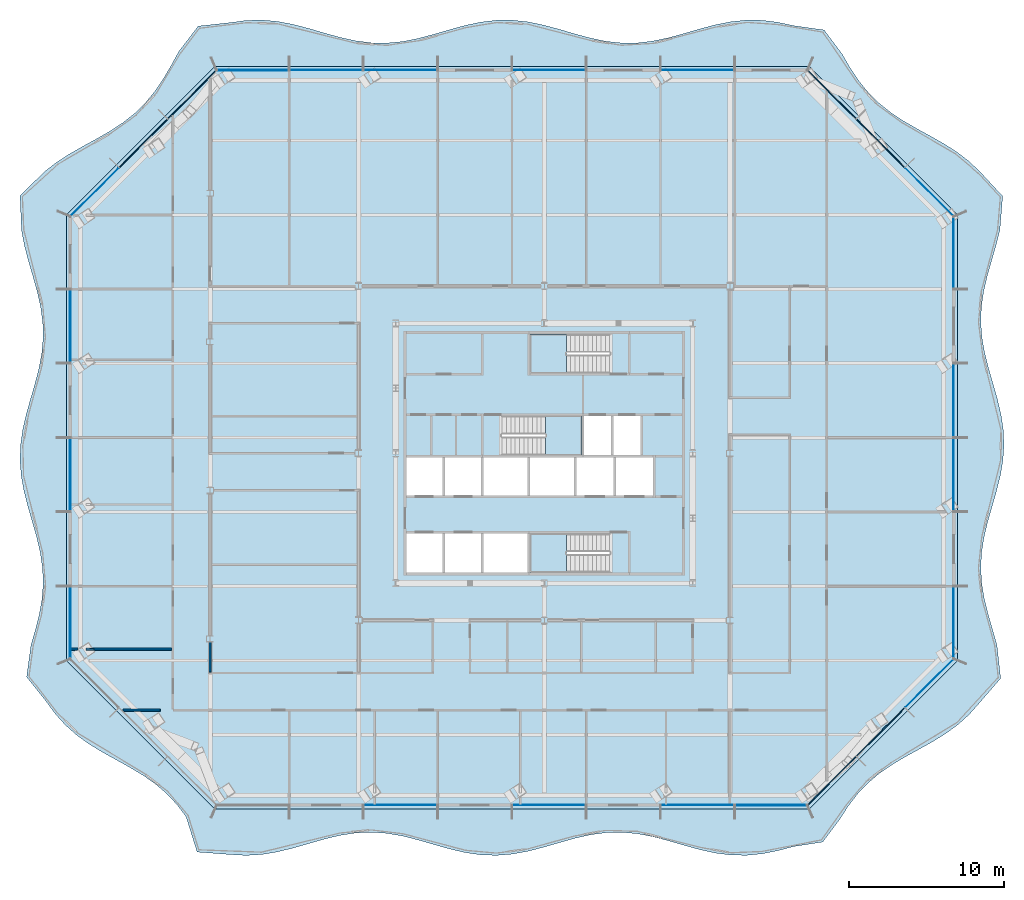
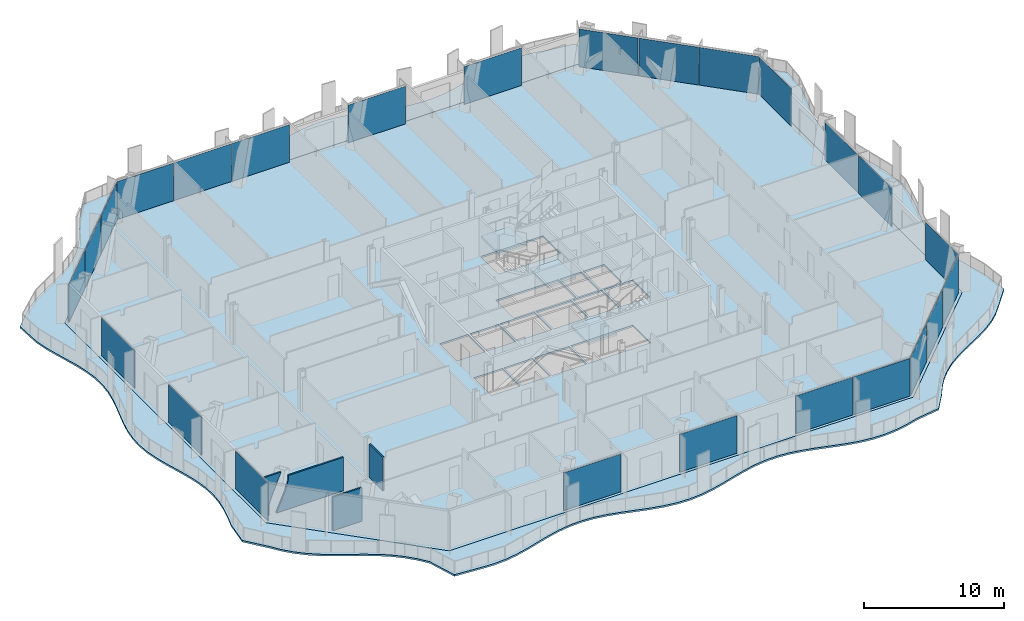
# One storey, part 6 of 22: 25 plates, 5 slabs, 4 walls, 10 elements without a shape of their own.
"""IFC4 building model written with IfcOpenShell, lengths in metres."""

from ifc_helpers import new_model, si_unit, direction, frame, frame_2d, origin, origin_2d, place, context, subcontext, project, spatial, polyline, rectangle, outline, extrude, material, layer, layer_set, type_object, element, aggregate, save


model = new_model("IFC4")

# Units and contexts
model_context = context("Model", 3, precision=1e-05, world=origin(), true_north=direction((0.0, 1.0)))
body_context = subcontext(model_context, "Body", "Model", "MODEL_VIEW")
ifc_project = project(units=[si_unit("LENGTHUNIT", "METRE"), si_unit("AREAUNIT", "SQUARE_METRE"), si_unit("VOLUMEUNIT", "CUBIC_METRE"), si_unit("PLANEANGLEUNIT", "RADIAN"), si_unit("MASSUNIT", "GRAM", prefix="KILO")], contexts=[model_context])

# Site, building, storey
site_placement = place(None, origin())
site = spatial("IfcSite", under=ifc_project, at=site_placement, CompositionType="ELEMENT")
building_placement = place(site_placement, origin())
building = spatial("IfcBuilding", under=site, at=building_placement, Name="Cairn Pilgrim Tower", CompositionType="ELEMENT")
storey_placement = place(building_placement, frame((0.0, 0.0, 105.0)))
storey = spatial("IfcBuildingStorey", under=building, at=storey_placement, Name="L25", CompositionType="ELEMENT", Elevation=105.0)

# Slabs
ifc_material_1 = material(Name="Concrete C35/45", Category="concrete")
ifc_layer_1 = layer(ifc_material_1, 0.14990234375)
ifc_layer_set_1 = layer_set([ifc_layer_1], Name="BALCONY SLAB 150 CONCRETE C35/45")
slab_type_1 = type_object("IfcSlabType", Name="BALCONY SLAB 150 CONCRETE C35/45", PredefinedType="FLOOR", material=ifc_layer_set_1)
slab_1_placement = place(storey_placement, frame((0.0, 0.0, -0.14990234375)))
element("IfcSlab", 1, at=slab_1_placement, inside=storey, type_object=slab_type_1, Name="Balcony slab BS-1", PredefinedType="FLOOR", context=body_context, shape_type="SweptSolid", body=[
    extrude(outline(polyline([(-15.951904296875, -21.0849609375), (-15.23876953125, -23.371826171875), (-13.07666015625, -23.535400390625), (-12.06591796875, -23.59130859375), (-11.055419921875, -23.53076171875), (-10.044921875, -23.36279296875), (-9.034423828125, -23.114013671875), (-8.02392578125, -22.82275390625), (-7.013427734375, -22.534423828125), (-6.0029296875, -22.293701171875), (-4.992431640625, -22.13818359375), (-3.981689453125, -22.092041015625), (-2.97119140625, -22.162109375), (-1.960693359375, -22.337890625), (-0.9501953125, -22.592041015625), (0.060302734375, -22.884765625), (1.07080078125, -23.170654296875), (2.081298828125, -23.405517578125), (3.091796875, -23.552734375), (4.102294921875, -23.58935546875), (5.113037109375, -23.509521484375), (6.12353515625, -23.326171875), (7.134033203125, -23.067138671875), (8.14453125, -22.773193359375), (9.155029296875, -22.489990234375), (10.16552734375, -22.26123046875), (11.176025390625, -22.12255859375), (12.1865234375, -22.095703125), (13.197265625, -22.184814453125), (14.207763671875, -22.375732421875), (15.21826171875, -22.639404296875), (16.228759765625, -22.93408203125), (17.2392578125, -23.214599609375), (18.249755859375, -23.43701171875), (19.26025390625, -23.56689453125), (20.270751953125, -23.583984375), (21.28125, -23.485595703125), (22.2919921875, -23.287109375), (23.302490234375, -23.01953125), (25.1962890625, -22.72412109375), (26.31787109375, -21.224853515625), (26.853759765625, -20.389404296875), (27.4501953125, -19.6142578125), (28.11962890625, -18.912353515625), (28.86474609375, -18.285888671875), (29.6767578125, -17.7265625), (30.53759765625, -17.216064453125), (31.422607421875, -16.7294921875), (32.302490234375, -16.23828125), (33.150146484375, -15.71435546875), (33.94189453125, -15.134765625), (34.662841796875, -14.484130859375), (35.3076171875, -13.757568359375), (36.6982421875, -12.14501953125), (36.458251953125, -9.998291015625), (36.173828125, -9.005126953125), (35.887939453125, -8.011962890625), (35.643310546875, -7.01904296875), (35.476806640625, -6.02587890625), (35.4130859375, -5.03271484375), (35.462158203125, -4.03955078125), (35.616455078125, -3.046630859375), (35.852783203125, -2.053466796875), (36.1357421875, -1.060302734375), (36.422607421875, -0.067138671875), (36.670654296875, 0.92578125), (36.84228515625, 1.9189453125), (36.912109375, 2.912109375), (36.869384765625, 3.9052734375), (36.720458984375, 4.898193359375), (36.48779296875, 5.891357421875), (36.206298828125, 6.884521484375), (35.91845703125, 7.877685546875), (35.667236328125, 8.87060546875), (35.490478515625, 9.86376953125), (35.414794921875, 10.85693359375), (35.451171875, 11.85009765625), (35.5947265625, 12.843017578125), (35.823486328125, 13.836181640625), (36.103271484375, 14.829345703125), (36.391845703125, 15.822509765625), (36.646240234375, 16.8154296875), (36.828125, 19.01611328125), (35.345947265625, 20.613037109375), (34.64208984375, 21.280517578125), (33.864990234375, 21.875), (33.0283203125, 22.40966796875), (32.153076171875, 22.906005859375), (31.266845703125, 23.39111328125), (30.398193359375, 23.893798828125), (29.5732421875, 24.4404296875), (28.812255859375, 25.05078125), (28.12548828125, 25.735595703125), (27.513671875, 26.4951171875), (26.9658203125, 27.31884765625), (26.46240234375, 28.186767578125), (25.287841796875, 29.76220703125), (23.302490234375, 30.041259765625), (22.2919921875, 30.2607421875), (21.28125, 30.38671875), (20.270751953125, 30.399658203125), (19.26025390625, 30.29736328125), (18.249755859375, 30.095703125), (17.2392578125, 29.826171875), (16.228759765625, 29.530517578125), (15.21826171875, 29.2548828125), (14.207763671875, 29.0419921875), (13.197265625, 28.9248046875), (12.1865234375, 28.921875), (11.176025390625, 29.033447265625), (10.16552734375, 29.241943359375), (9.155029296875, 29.515380859375), (8.14453125, 29.81103515625), (7.134033203125, 30.0830078125), (6.12353515625, 30.2890625), (5.113037109375, 30.39697265625), (4.102294921875, 30.390380859375), (3.091796875, 30.269775390625), (2.081298828125, 30.054443359375), (1.07080078125, 29.77734375), (0.060302734375, 29.48193359375), (-0.9501953125, 29.2138671875), (-1.960693359375, 29.01513671875), (-2.97119140625, 28.916259765625), (-3.981689453125, 28.932861328125), (-4.992431640625, 29.06201171875), (-6.0029296875, 29.2841796875), (-7.013427734375, 29.564453125), (-8.02392578125, 29.859375), (-9.034423828125, 30.123046875), (-10.044921875, 30.314453125), (-11.055419921875, 30.404052734375), (-12.06591796875, 30.3779296875), (-13.07666015625, 30.23974609375), (-15.165283203125, 30.011474609375), (-16.42138671875, 28.37158203125), (-16.906982421875, 27.48583984375), (-17.4130859375, 26.620361328125), (-17.96533203125, 25.801025390625), (-18.582763671875, 25.047119140625), (-19.275390625, 24.368408203125), (-20.0419921875, 23.763427734375), (-20.87109375, 23.22119140625), (-21.7421875, 22.720703125), (-22.62841796875, 22.23583984375), (-23.50146484375, 21.7373046875), (-24.33447265625, 21.19873046875), (-25.10595703125, 20.598876953125), (-26.680908203125, 19.048583984375), (-26.588134765625, 16.8154296875), (-26.397705078125, 15.822509765625), (-26.13818359375, 14.829345703125), (-25.848388671875, 13.836181640625), (-25.572021484375, 12.843017578125), (-25.350341796875, 11.85009765625), (-25.216796875, 10.85693359375), (-25.19140625, 9.86376953125), (-25.278076171875, 8.87060546875), (-25.463623046875, 7.877685546875), (-25.72021484375, 6.884521484375), (-26.009521484375, 5.891357421875), (-26.287841796875, 4.898193359375), (-26.513671875, 3.9052734375), (-26.652587890625, 2.912109375), (-26.684326171875, 1.9189453125), (-26.603759765625, 0.92578125), (-26.423095703125, -0.067138671875), (-26.169189453125, -1.060302734375), (-25.880859375, -2.053466796875), (-25.6005859375, -3.046630859375), (-25.37109375, -4.03955078125), (-25.2265625, -5.03271484375), (-25.188720703125, -6.02587890625), (-25.26318359375, -7.01904296875), (-25.43896484375, -8.011962890625), (-25.689453125, -9.005126953125), (-25.977294921875, -9.998291015625), (-26.2587890625, -12.056640625), (-24.981689453125, -13.657470703125), (-24.40185546875, -14.448974609375), (-23.751220703125, -15.169677734375), (-23.0244140625, -15.814453125), (-22.227783203125, -16.38916015625), (-21.376708984375, -16.90966796875), (-20.4951171875, -17.3994140625), (-19.611328125, -17.886962890625), (-18.753173828125, -18.400390625), (-17.94580078125, -18.96435546875), (-17.20654296875, -19.5966796875), (-16.54296875, -20.304443359375), (-15.951904296875, -21.0849609375)]), holes=[polyline([(24.31298828125, -20.59130859375), (-14.087158203125, -20.59130859375), (-23.68701171875, -10.991455078125), (-23.68701171875, 17.80859375), (-14.087158203125, 27.40869140625), (24.31298828125, 27.40869140625), (33.912841796875, 17.80859375), (33.912841796875, -10.991455078125), (24.31298828125, -20.59130859375)])]), origin(), (0.0, 0.0, 1.0), 0.14990234375),
])
ifc_layer_2 = layer(ifc_material_1, 0.14990234375)
ifc_layer_set_2 = layer_set([ifc_layer_2], Name="COMPOSITE FLOOR SLAB 150")
slab_type_2 = type_object("IfcSlabType", Name="COMPOSITE FLOOR SLAB 150", PredefinedType="FLOOR", material=ifc_layer_set_2)
slab_2_placement = place(storey_placement, frame((0.0, 0.0, -0.14990234375)))
element("IfcSlab", 2, at=slab_2_placement, inside=storey, type_object=slab_type_2, Name="FLOOR SLAB L25", PredefinedType="FLOOR", context=body_context, shape_type="SweptSolid", body=[
    extrude(outline(polyline([(-14.087158203125, -20.59130859375), (24.31298828125, -20.59130859375), (33.912841796875, -10.991455078125), (33.912841796875, 17.80859375), (24.31298828125, 27.40869140625), (-14.087158203125, 27.40869140625), (-23.68701171875, 17.80859375), (-23.68701171875, -10.991455078125), (-14.087158203125, -20.59130859375)]), holes=[polyline([(-1.72509765625, -5.300048828125), (0.625, -5.300048828125), (0.625, -2.77490234375), (-1.72509765625, -2.77490234375), (-1.72509765625, -5.300048828125)]), polyline([(0.77490234375, -5.300048828125), (3.125, -5.300048828125), (3.125, -2.77490234375), (0.77490234375, -2.77490234375), (0.77490234375, -5.300048828125)]), polyline([(-1.72509765625, -0.324951171875), (0.625, -0.324951171875), (0.625, 2.125), (-1.72509765625, 2.125), (-1.72509765625, -0.324951171875)]), polyline([(0.77490234375, -0.324951171875), (3.125, -0.324951171875), (3.125, 2.125), (0.77490234375, 2.125), (0.77490234375, -0.324951171875)]), polyline([(3.27490234375, -5.300048828125), (6.125, -5.300048828125), (6.125, -2.77490234375), (3.27490234375, -2.77490234375), (3.27490234375, -5.300048828125)]), polyline([(3.27490234375, -0.324951171875), (6.125, -0.324951171875), (6.125, 2.125), (3.27490234375, 2.125), (3.27490234375, -0.324951171875)]), polyline([(6.27490234375, -0.324951171875), (9.125, -0.324951171875), (9.125, 2.125), (6.27490234375, 2.125), (6.27490234375, -0.324951171875)]), polyline([(9.27490234375, -0.324951171875), (11.675048828125, -0.324951171875), (11.675048828125, 2.125), (9.27490234375, 2.125), (9.27490234375, -0.324951171875)]), polyline([(11.824951171875, -0.324951171875), (14.22509765625, -0.324951171875), (14.22509765625, 2.125), (11.824951171875, 2.125), (11.824951171875, -0.324951171875)]), polyline([(9.77490234375, 2.27490234375), (11.52490234375, 2.27490234375), (11.52490234375, 4.824951171875), (9.77490234375, 4.824951171875), (9.77490234375, 2.27490234375)]), polyline([(11.675048828125, 2.27490234375), (13.425048828125, 2.27490234375), (13.425048828125, 4.824951171875), (11.675048828125, 4.824951171875), (11.675048828125, 2.27490234375)]), polyline([(11.424560546875, -2.77490234375), (6.27490234375, -2.77490234375), (6.27490234375, -5.300048828125), (11.424560546875, -5.300048828125), (11.424560546875, -2.77490234375)]), polyline([(4.4755859375, 2.27490234375), (9.625, 2.27490234375), (9.625, 4.824951171875), (4.4755859375, 4.824951171875), (4.4755859375, 2.27490234375)]), polyline([(11.424560546875, 10.10009765625), (6.27490234375, 10.10009765625), (6.27490234375, 7.574951171875), (11.424560546875, 7.574951171875), (11.424560546875, 10.10009765625)])]), origin(), (0.0, 0.0, 1.0), 0.14990234375),
])

# Curtain wall, plate
ifc_material_2 = material(Name="Aluminium alloy 6063-T6 bronze anodised with Bronze tinted laminated low-E glass 8+16+8.8", Category="aluminium")
curtain_wall_type_1 = type_object("IfcCurtainWallType", Name="CHAMFER CORNER CURTAIN WALL", PredefinedType="NOTDEFINED", material=ifc_material_2)
curtain_wall_1_placement = place(storey_placement, origin())
curtain_wall_1 = element("IfcCurtainWall", 3, at=curtain_wall_1_placement, inside=storey, type_object=curtain_wall_type_1, Name="Chamfer Corner Curtain Wall SE", PredefinedType="NOTDEFINED")
ifc_material_3 = material(Name="Bronze anodised aluminium spandrel panel with mineral wool insulation", Category="aluminium")
ifc_layer_3 = layer(ifc_material_3, 0.06005859375)
ifc_layer_set_3 = layer_set([ifc_layer_3], Name="SPANDREL PANEL 4386x3300")
plate_type_1 = type_object("IfcPlateType", Name="SPANDREL PANEL 4386x3300", PredefinedType="CURTAIN_PANEL", material=ifc_layer_set_3)
plate_1_placement = place(storey_placement, frame((25.78857421875, -18.76220703125, 0.0), z_axis=(0.0, 0.0, 1.0), x_axis=(0.707106781187, 0.707106781187, 0.0)))
plate_1 = element("IfcPlate", 4, at=plate_1_placement, type_object=plate_type_1, Name="Spandrel Panel SE1-1", PredefinedType="CURTAIN_PANEL", context=body_context, shape_type="SweptSolid", body=[
    extrude(rectangle(XDim=4.386474609375, YDim=0.06005859375, at=origin_2d()), origin(), (0.0, 0.0, 1.0), 3.300048828125),
])

curtain_wall_2_placement = place(storey_placement, origin())
curtain_wall_2 = element("IfcCurtainWall", 5, at=curtain_wall_2_placement, inside=storey, type_object=curtain_wall_type_1, Name="Chamfer Corner Curtain Wall NE", PredefinedType="NOTDEFINED")
plate_2_placement = place(storey_placement, frame((25.78857421875, 25.57958984375, 0.0), z_axis=(0.0, 0.0, 1.0), x_axis=(-0.707106781187, 0.707106781187, 0.0)))
plate_2 = element("IfcPlate", 6, at=plate_2_placement, type_object=plate_type_1, Name="Spandrel Panel NE3-1", PredefinedType="CURTAIN_PANEL", context=body_context, shape_type="SweptSolid", body=[
    extrude(rectangle(XDim=4.386474609375, YDim=0.06005859375, at=origin_2d()), origin(), (0.0, 0.0, 1.0), 3.300048828125),
])

curtain_wall_3_placement = place(storey_placement, origin())
curtain_wall_3 = element("IfcCurtainWall", 7, at=curtain_wall_3_placement, inside=storey, type_object=curtain_wall_type_1, Name="Chamfer Corner Curtain Wall NW", PredefinedType="NOTDEFINED")
plate_3_placement = place(storey_placement, frame((-15.562744140625, 25.57958984375, 0.0), z_axis=(0.0, 0.0, 1.0), x_axis=(-0.707106781187, -0.707106781187, 0.0)))
plate_3 = element("IfcPlate", 8, at=plate_3_placement, type_object=plate_type_1, Name="Spandrel Panel NW1-1", PredefinedType="CURTAIN_PANEL", context=body_context, shape_type="SweptSolid", body=[
    extrude(rectangle(XDim=4.386474609375, YDim=0.06005859375, at=origin_2d()), origin(), (0.0, 0.0, 1.0), 3.300048828125),
])

# Plate
ifc_layer_4 = layer(ifc_material_3, 0.06005859375)
ifc_layer_set_4 = layer_set([ifc_layer_4], Name="SPANDREL PANEL 4396x3300")
plate_type_2 = type_object("IfcPlateType", Name="SPANDREL PANEL 4396x3300", PredefinedType="CURTAIN_PANEL", material=ifc_layer_set_4)
plate_4_placement = place(storey_placement, frame((28.936279296875, -15.614501953125, 0.0), z_axis=(0.0, 0.0, 1.0), x_axis=(0.707106781187, 0.707106781187, 0.0)))
plate_4 = element("IfcPlate", 9, at=plate_4_placement, type_object=plate_type_2, Name="Spandrel Panel SE2-1", PredefinedType="CURTAIN_PANEL", context=body_context, shape_type="SweptSolid", body=[
    extrude(rectangle(XDim=4.396484375, YDim=0.06005859375, at=origin_2d()), origin(), (0.0, 0.0, 1.0), 3.300048828125),
])

plate_5_placement = place(storey_placement, frame((28.936279296875, 22.431884765625, 0.0), z_axis=(0.0, 0.0, 1.0), x_axis=(-0.707106781187, 0.707106781187, 0.0)))
plate_5 = element("IfcPlate", 10, at=plate_5_placement, type_object=plate_type_2, Name="Spandrel Panel NE2-1", PredefinedType="CURTAIN_PANEL", context=body_context, shape_type="SweptSolid", body=[
    extrude(rectangle(XDim=4.396484375, YDim=0.06005859375, at=origin_2d()), origin(), (0.0, 0.0, 1.0), 3.300048828125),
])

plate_6_placement = place(storey_placement, frame((-18.710205078125, 22.431884765625, 0.0), z_axis=(0.0, 0.0, 1.0), x_axis=(-0.707106781187, -0.707106781187, 0.0)))
plate_6 = element("IfcPlate", 11, at=plate_6_placement, type_object=plate_type_2, Name="Spandrel Panel NW2-1", PredefinedType="CURTAIN_PANEL", context=body_context, shape_type="SweptSolid", body=[
    extrude(rectangle(XDim=4.396484375, YDim=0.06005859375, at=origin_2d()), origin(), (0.0, 0.0, 1.0), 3.300048828125),
])

# Curtain wall, plate
curtain_wall_type_2 = type_object("IfcCurtainWallType", Name="TOWER STICK CURTAIN WALL NS", PredefinedType="NOTDEFINED", material=ifc_material_2)
curtain_wall_4_placement = place(storey_placement, origin())
curtain_wall_4 = element("IfcCurtainWall", 12, at=curtain_wall_4_placement, inside=storey, type_object=curtain_wall_type_2, Name="Tower Stick Curtain Wall Ns S", PredefinedType="NOTDEFINED")
ifc_layer_5 = layer(ifc_material_3, 0.06005859375)
ifc_layer_set_5 = layer_set([ifc_layer_5], Name="SPANDREL PANEL 4626x3300")
plate_type_3 = type_object("IfcPlateType", Name="SPANDREL PANEL 4626x3300", PredefinedType="CURTAIN_PANEL", material=ifc_layer_set_5)
plate_7_placement = place(storey_placement, frame((21.856201171875, -20.34130859375, 0.0), z_axis=(0.0, 0.0, 1.0), x_axis=(1.0, 0.0, 0.0)))
plate_7 = element("IfcPlate", 13, at=plate_7_placement, type_object=plate_type_3, Name="Spandrel Panel S8-1", PredefinedType="CURTAIN_PANEL", context=body_context, shape_type="SweptSolid", body=[
    extrude(rectangle(XDim=4.62646484375, YDim=0.06005859375, at=origin_2d()), origin(), (0.0, 0.0, 1.0), 3.300048828125),
])

curtain_wall_5_placement = place(storey_placement, origin())
curtain_wall_5 = element("IfcCurtainWall", 14, at=curtain_wall_5_placement, inside=storey, type_object=curtain_wall_type_2, Name="Tower Stick Curtain Wall Ns N", PredefinedType="NOTDEFINED")
plate_8_placement = place(storey_placement, frame((-11.63037109375, 27.15869140625, 0.0), z_axis=(0.0, 0.0, 1.0), x_axis=(-1.0, 0.0, 0.0)))
plate_8 = element("IfcPlate", 15, at=plate_8_placement, type_object=plate_type_3, Name="Spandrel Panel N8-1", PredefinedType="CURTAIN_PANEL", context=body_context, shape_type="SweptSolid", body=[
    extrude(rectangle(XDim=4.62646484375, YDim=0.06005859375, at=origin_2d()), origin(), (0.0, 0.0, 1.0), 3.300048828125),
])

# Stair, slab
ifc_material_4 = material(Name="Concrete C32/40", Category="concrete")
stair_type = type_object("IfcStairType", Name="EXIT STAIR 1200", PredefinedType="HALF_TURN_STAIR", material=ifc_material_4)
stair_1_placement = place(storey_placement, origin())
stair_1 = element("IfcStair", 16, at=stair_1_placement, inside=storey, type_object=stair_type, Name="L25 Exit Stair A", PredefinedType="HALF_TURN_STAIR")
ifc_layer_6 = layer(ifc_material_4, 0.199951171875)
ifc_layer_set_6 = layer_set([ifc_layer_6], Name="STAIR LANDING 200")
slab_type_3 = type_object("IfcSlabType", Name="STAIR LANDING 200", PredefinedType="LANDING", material=ifc_layer_set_6)
slab_3_placement = place(storey_placement, frame((0.0, 0.0, 1.60009765625)))
slab_3 = element("IfcSlab", 17, at=slab_3_placement, type_object=slab_type_3, Name="ST-A landing 1", PredefinedType="LANDING", context=body_context, shape_type="SweptSolid", body=[
    extrude(outline(polyline([(8.625, -2.77490234375), (6.27490234375, -2.77490234375), (6.27490234375, -5.300048828125), (8.625, -5.300048828125), (8.625, -2.77490234375)])), origin(), (0.0, 0.0, 1.0), 0.199951171875),
])
aggregate(stair_1, [slab_3])

stair_2_placement = place(storey_placement, origin())
stair_2 = element("IfcStair", 18, at=stair_2_placement, inside=storey, type_object=stair_type, Name="L25 Exit Stair B", PredefinedType="HALF_TURN_STAIR")
slab_4_placement = place(storey_placement, frame((0.0, 0.0, 1.60009765625)))
slab_4 = element("IfcSlab", 19, at=slab_4_placement, type_object=slab_type_3, Name="ST-B landing 1", PredefinedType="LANDING", context=body_context, shape_type="SweptSolid", body=[
    extrude(outline(polyline([(7.27490234375, 2.27490234375), (9.625, 2.27490234375), (9.625, 4.824951171875), (7.27490234375, 4.824951171875), (7.27490234375, 2.27490234375)])), origin(), (0.0, 0.0, 1.0), 0.199951171875),
])
aggregate(stair_2, [slab_4])

stair_3_placement = place(storey_placement, origin())
stair_3 = element("IfcStair", 20, at=stair_3_placement, inside=storey, type_object=stair_type, Name="L25 Exit Stair C", PredefinedType="HALF_TURN_STAIR")
slab_5_placement = place(storey_placement, frame((0.0, 0.0, 1.60009765625)))
slab_5 = element("IfcSlab", 21, at=slab_5_placement, type_object=slab_type_3, Name="ST-C landing 1", PredefinedType="LANDING", context=body_context, shape_type="SweptSolid", body=[
    extrude(outline(polyline([(8.625, 10.10009765625), (6.27490234375, 10.10009765625), (6.27490234375, 7.574951171875), (8.625, 7.574951171875), (8.625, 10.10009765625)])), origin(), (0.0, 0.0, 1.0), 0.199951171875),
])
aggregate(stair_3, [slab_5])

# Plate
ifc_material_5 = material(Name="Bronze tinted laminated low-E glass 8+16+8.8", Category="glass")
ifc_layer_7 = layer(ifc_material_5, 0.033935546875)
ifc_layer_set_7 = layer_set([ifc_layer_7], Name="VISION GLAZING 4386x3300")
plate_type_4 = type_object("IfcPlateType", Name="VISION GLAZING 4386x3300", PredefinedType="CURTAIN_PANEL", material=ifc_layer_set_7)
plate_9_placement = place(storey_placement, frame((32.083740234375, -12.467041015625, 0.0), z_axis=(0.0, 0.0, 1.0), x_axis=(0.707106781187, 0.707106781187, 0.0)))
plate_9 = element("IfcPlate", 22, at=plate_9_placement, type_object=plate_type_4, Name="Vision Glazing SE3-1", PredefinedType="CURTAIN_PANEL", context=body_context, shape_type="SweptSolid", body=[
    extrude(rectangle(XDim=4.386474609375, YDim=0.033935546875, at=origin_2d()), origin(), (0.0, 0.0, 1.0), 3.300048828125),
])

aggregate(curtain_wall_1, [plate_1, plate_4, plate_9])

plate_10_placement = place(storey_placement, frame((32.083740234375, 19.2841796875, 0.0), z_axis=(0.0, 0.0, 1.0), x_axis=(-0.707106781187, 0.707106781187, 0.0)))
plate_10 = element("IfcPlate", 23, at=plate_10_placement, type_object=plate_type_4, Name="Vision Glazing NE1-1", PredefinedType="CURTAIN_PANEL", context=body_context, shape_type="SweptSolid", body=[
    extrude(rectangle(XDim=4.386474609375, YDim=0.033935546875, at=origin_2d()), origin(), (0.0, 0.0, 1.0), 3.300048828125),
])

aggregate(curtain_wall_2, [plate_10, plate_5, plate_2])

plate_11_placement = place(storey_placement, frame((-21.85791015625, 19.2841796875, 0.0), z_axis=(0.0, 0.0, 1.0), x_axis=(-0.707106781187, -0.707106781187, 0.0)))
plate_11 = element("IfcPlate", 24, at=plate_11_placement, type_object=plate_type_4, Name="Vision Glazing NW3-1", PredefinedType="CURTAIN_PANEL", context=body_context, shape_type="SweptSolid", body=[
    extrude(rectangle(XDim=4.386474609375, YDim=0.033935546875, at=origin_2d()), origin(), (0.0, 0.0, 1.0), 3.300048828125),
])

aggregate(curtain_wall_3, [plate_3, plate_6, plate_11])

# Curtain wall, plates
curtain_wall_type_3 = type_object("IfcCurtainWallType", Name="TOWER STICK CURTAIN WALL EW", PredefinedType="NOTDEFINED", material=ifc_material_2)
curtain_wall_6_placement = place(storey_placement, origin())
curtain_wall_6 = element("IfcCurtainWall", 25, at=curtain_wall_6_placement, inside=storey, type_object=curtain_wall_type_3, Name="Tower Stick Curtain Wall Ew E", PredefinedType="NOTDEFINED")
ifc_layer_8 = layer(ifc_material_5, 0.033935546875)
ifc_layer_set_8 = layer_set([ifc_layer_8], Name="VISION GLAZING 4626x3300")
plate_type_5 = type_object("IfcPlateType", Name="VISION GLAZING 4626x3300", PredefinedType="CURTAIN_PANEL", material=ifc_layer_set_8)
plate_12_placement = place(storey_placement, frame((33.662841796875, -8.53466796875, 0.0), z_axis=(0.0, 0.0, 1.0), x_axis=(0.0, 1.0, 0.0)))
plate_12 = element("IfcPlate", 26, at=plate_12_placement, type_object=plate_type_5, Name="Vision Glazing E1-1", PredefinedType="CURTAIN_PANEL", context=body_context, shape_type="SweptSolid", body=[
    extrude(rectangle(XDim=4.62646484375, YDim=0.033935546875, at=origin_2d()), origin(), (0.0, 0.0, 1.0), 3.300048828125),
])
plate_13_placement = place(storey_placement, frame((33.662841796875, 15.351806640625, 0.0), z_axis=(0.0, 0.0, 1.0), x_axis=(0.0, 1.0, 0.0)))
plate_13 = element("IfcPlate", 27, at=plate_13_placement, type_object=plate_type_5, Name="Vision Glazing E6-1", PredefinedType="CURTAIN_PANEL", context=body_context, shape_type="SweptSolid", body=[
    extrude(rectangle(XDim=4.62646484375, YDim=0.033935546875, at=origin_2d()), origin(), (0.0, 0.0, 1.0), 3.300048828125),
])

# Curtain wall, plate
curtain_wall_7_placement = place(storey_placement, origin())
curtain_wall_7 = element("IfcCurtainWall", 28, at=curtain_wall_7_placement, inside=storey, type_object=curtain_wall_type_3, Name="Tower Stick Curtain Wall Ew W", PredefinedType="NOTDEFINED")
plate_14_placement = place(storey_placement, frame((-23.43701171875, -8.53466796875, 0.0), z_axis=(0.0, 0.0, 1.0), x_axis=(0.0, -1.0, 0.0)))
plate_14 = element("IfcPlate", 29, at=plate_14_placement, type_object=plate_type_5, Name="Vision Glazing W6-1", PredefinedType="CURTAIN_PANEL", context=body_context, shape_type="SweptSolid", body=[
    extrude(rectangle(XDim=4.62646484375, YDim=0.033935546875, at=origin_2d()), origin(), (0.0, 0.0, 1.0), 3.300048828125),
])

# Plate
ifc_layer_9 = layer(ifc_material_5, 0.033935546875)
ifc_layer_set_9 = layer_set([ifc_layer_9], Name="VISION GLAZING 4740x3300")
plate_type_6 = type_object("IfcPlateType", Name="VISION GLAZING 4740x3300", PredefinedType="CURTAIN_PANEL", material=ifc_layer_set_9)
plate_15_placement = place(storey_placement, frame((-2.087158203125, -20.34130859375, 0.0), z_axis=(0.0, 0.0, 1.0), x_axis=(1.0, 0.0, 0.0)))
plate_15 = element("IfcPlate", 30, at=plate_15_placement, type_object=plate_type_6, Name="Vision Glazing S3-1", PredefinedType="CURTAIN_PANEL", context=body_context, shape_type="SweptSolid", body=[
    extrude(rectangle(XDim=4.739990234375, YDim=0.033935546875, at=origin_2d()), origin(), (0.0, 0.0, 1.0), 3.300048828125),
])

plate_16_placement = place(storey_placement, frame((7.512939453125, -20.34130859375, 0.0), z_axis=(0.0, 0.0, 1.0), x_axis=(1.0, 0.0, 0.0)))
plate_16 = element("IfcPlate", 31, at=plate_16_placement, type_object=plate_type_6, Name="Vision Glazing S5-1", PredefinedType="CURTAIN_PANEL", context=body_context, shape_type="SweptSolid", body=[
    extrude(rectangle(XDim=4.739990234375, YDim=0.033935546875, at=origin_2d()), origin(), (0.0, 0.0, 1.0), 3.300048828125),
])

plate_17_placement = place(storey_placement, frame((17.113037109375, -20.34130859375, 0.0), z_axis=(0.0, 0.0, 1.0), x_axis=(1.0, 0.0, 0.0)))
plate_17 = element("IfcPlate", 32, at=plate_17_placement, type_object=plate_type_6, Name="Vision Glazing S7-1", PredefinedType="CURTAIN_PANEL", context=body_context, shape_type="SweptSolid", body=[
    extrude(rectangle(XDim=4.739990234375, YDim=0.033935546875, at=origin_2d()), origin(), (0.0, 0.0, 1.0), 3.300048828125),
])

aggregate(curtain_wall_4, [plate_15, plate_16, plate_17, plate_7])

plate_18_placement = place(storey_placement, frame((33.662841796875, 1.008544921875, 0.0), z_axis=(0.0, 0.0, 1.0), x_axis=(0.0, 1.0, 0.0)))
plate_18 = element("IfcPlate", 33, at=plate_18_placement, type_object=plate_type_6, Name="Vision Glazing E3-1", PredefinedType="CURTAIN_PANEL", context=body_context, shape_type="SweptSolid", body=[
    extrude(rectangle(XDim=4.739990234375, YDim=0.033935546875, at=origin_2d()), origin(), (0.0, 0.0, 1.0), 3.300048828125),
])

plate_19_placement = place(storey_placement, frame((33.662841796875, 5.80859375, 0.0), z_axis=(0.0, 0.0, 1.0), x_axis=(0.0, 1.0, 0.0)))
plate_19 = element("IfcPlate", 34, at=plate_19_placement, type_object=plate_type_6, Name="Vision Glazing E4-1", PredefinedType="CURTAIN_PANEL", context=body_context, shape_type="SweptSolid", body=[
    extrude(rectangle(XDim=4.739990234375, YDim=0.033935546875, at=origin_2d()), origin(), (0.0, 0.0, 1.0), 3.300048828125),
])

aggregate(curtain_wall_6, [plate_12, plate_18, plate_19, plate_13])

plate_20_placement = place(storey_placement, frame((17.113037109375, 27.15869140625, 0.0), z_axis=(0.0, 0.0, 1.0), x_axis=(-1.0, 0.0, 0.0)))
plate_20 = element("IfcPlate", 35, at=plate_20_placement, type_object=plate_type_6, Name="Vision Glazing N2-1", PredefinedType="CURTAIN_PANEL", context=body_context, shape_type="SweptSolid", body=[
    extrude(rectangle(XDim=4.739990234375, YDim=0.033935546875, at=origin_2d()), origin(), (0.0, 0.0, 1.0), 3.300048828125),
])

plate_21_placement = place(storey_placement, frame((7.512939453125, 27.15869140625, 0.0), z_axis=(0.0, 0.0, 1.0), x_axis=(-1.0, 0.0, 0.0)))
plate_21 = element("IfcPlate", 36, at=plate_21_placement, type_object=plate_type_6, Name="Vision Glazing N4-1", PredefinedType="CURTAIN_PANEL", context=body_context, shape_type="SweptSolid", body=[
    extrude(rectangle(XDim=4.739990234375, YDim=0.033935546875, at=origin_2d()), origin(), (0.0, 0.0, 1.0), 3.300048828125),
])

plate_22_placement = place(storey_placement, frame((-2.087158203125, 27.15869140625, 0.0), z_axis=(0.0, 0.0, 1.0), x_axis=(-1.0, 0.0, 0.0)))
plate_22 = element("IfcPlate", 37, at=plate_22_placement, type_object=plate_type_6, Name="Vision Glazing N6-1", PredefinedType="CURTAIN_PANEL", context=body_context, shape_type="SweptSolid", body=[
    extrude(rectangle(XDim=4.739990234375, YDim=0.033935546875, at=origin_2d()), origin(), (0.0, 0.0, 1.0), 3.300048828125),
])

plate_23_placement = place(storey_placement, frame((-6.886962890625, 27.15869140625, 0.0), z_axis=(0.0, 0.0, 1.0), x_axis=(-1.0, 0.0, 0.0)))
plate_23 = element("IfcPlate", 38, at=plate_23_placement, type_object=plate_type_6, Name="Vision Glazing N7-1", PredefinedType="CURTAIN_PANEL", context=body_context, shape_type="SweptSolid", body=[
    extrude(rectangle(XDim=4.739990234375, YDim=0.033935546875, at=origin_2d()), origin(), (0.0, 0.0, 1.0), 3.300048828125),
])

aggregate(curtain_wall_5, [plate_20, plate_21, plate_22, plate_23, plate_8])

plate_24_placement = place(storey_placement, frame((-23.43701171875, 10.608642578125, 0.0), z_axis=(0.0, 0.0, 1.0), x_axis=(0.0, -1.0, 0.0)))
plate_24 = element("IfcPlate", 39, at=plate_24_placement, type_object=plate_type_6, Name="Vision Glazing W2-1", PredefinedType="CURTAIN_PANEL", context=body_context, shape_type="SweptSolid", body=[
    extrude(rectangle(XDim=4.739990234375, YDim=0.033935546875, at=origin_2d()), origin(), (0.0, 0.0, 1.0), 3.300048828125),
])

plate_25_placement = place(storey_placement, frame((-23.43701171875, 1.008544921875, 0.0), z_axis=(0.0, 0.0, 1.0), x_axis=(0.0, -1.0, 0.0)))
plate_25 = element("IfcPlate", 40, at=plate_25_placement, type_object=plate_type_6, Name="Vision Glazing W4-1", PredefinedType="CURTAIN_PANEL", context=body_context, shape_type="SweptSolid", body=[
    extrude(rectangle(XDim=4.739990234375, YDim=0.033935546875, at=origin_2d()), origin(), (0.0, 0.0, 1.0), 3.300048828125),
])

aggregate(curtain_wall_7, [plate_24, plate_25, plate_14])

# Walls
ifc_material_6 = material(Name="Gypsum partition")
ifc_layer_10 = layer(ifc_material_6, 0.125)
ifc_layer_set_10 = layer_set([ifc_layer_10], Name="PARTITION 125 DRYWALL EI 60")
wall_type = type_object("IfcWallType", Name="PARTITION 125 DRYWALL EI 60", PredefinedType="PARTITIONING", material=ifc_layer_set_10)
wall_1_placement = place(storey_placement, frame((-20.01708984375, -14.199951171875, 0.0), z_axis=(0.0, 0.0, 1.0), x_axis=(1.0, 0.0, 0.0)))
element("IfcWall", 41, at=wall_1_placement, inside=storey, type_object=wall_type, Name="PARTITION W012", PredefinedType="PARTITIONING", context=body_context, shape_type="SweptSolid", body=[
    extrude(outline(polyline([(0.0, 0.0), (2.384033203125, 0.0), (2.384033203125, 0.862548828125), (2.384033203125, 1.72509765625), (2.384033203125, 2.58740234375), (2.384033203125, 2.929931640625), (0.0, 2.929931640625), (0.0, 2.58740234375), (0.0, 1.72509765625), (0.0, 0.862548828125), (0.0, 0.0)])), frame((0.0, 0.0625, 0.0), z_axis=(0.0, -1.0, 0.0), x_axis=(1.0, 0.0, 0.0)), (0.0, 0.0, 1.0), 0.125),
])
wall_2_placement = place(storey_placement, frame((-14.39990234375, -11.737548828125, 0.0), z_axis=(0.0, 0.0, 1.0), x_axis=(0.0, 1.0, 0.0)))
element("IfcWall", 42, at=wall_2_placement, inside=storey, type_object=wall_type, Name="PARTITION W019", PredefinedType="PARTITIONING", context=body_context, shape_type="SweptSolid", body=[
    extrude(rectangle(XDim=1.941162109375, YDim=0.125, at=frame_2d((0.970703125, 0.0))), origin(), (0.0, 0.0, 1.0), 2.929931640625),
])
wall_3_placement = place(storey_placement, frame((-23.39013671875, -10.259033203125, 0.0), z_axis=(0.0, 0.0, 1.0), x_axis=(1.0, 0.0, 0.0)))
element("IfcWall", 43, at=wall_3_placement, inside=storey, type_object=wall_type, Name="PARTITION W029", PredefinedType="PARTITIONING", context=body_context, shape_type="SweptSolid", body=[
    extrude(outline(polyline([(0.0, 0.0), (0.327392578125, 0.0), (0.330810546875, 0.862548828125), (0.6220703125, 1.72509765625), (0.995361328125, 2.58740234375), (1.36865234375, 3.449951171875), (0.0, 3.449951171875), (0.0, 2.58740234375), (0.0, 1.72509765625), (0.0, 0.862548828125), (0.0, 0.0)])), frame((0.0, 0.0625, 0.0), z_axis=(0.0, -1.0, 0.0), x_axis=(1.0, 0.0, 0.0)), (0.0, 0.0, 1.0), 0.125),
])
wall_4_placement = place(storey_placement, frame((-22.4091796875, -10.259033203125, 0.0), z_axis=(0.0, 0.0, 1.0), x_axis=(1.0, 0.0, 0.0)))
element("IfcWall", 44, at=wall_4_placement, inside=storey, type_object=wall_type, Name="PARTITION W030", PredefinedType="PARTITIONING", context=body_context, shape_type="SweptSolid", body=[
    extrude(outline(polyline([(0.0, 0.0), (5.546875, 0.0), (5.546875, 0.862548828125), (5.546875, 1.72509765625), (5.546875, 2.58740234375), (5.546875, 2.929931640625), (0.9765625, 2.929931640625), (0.9765625, 2.58740234375), (0.74658203125, 1.72509765625), (0.373291015625, 0.862548828125), (0.0, 0.0)])), frame((0.0, 0.0625, 0.0), z_axis=(0.0, -1.0, 0.0), x_axis=(1.0, 0.0, 0.0)), (0.0, 0.0, 1.0), 0.125),
])

save(model, "model.ifc")
